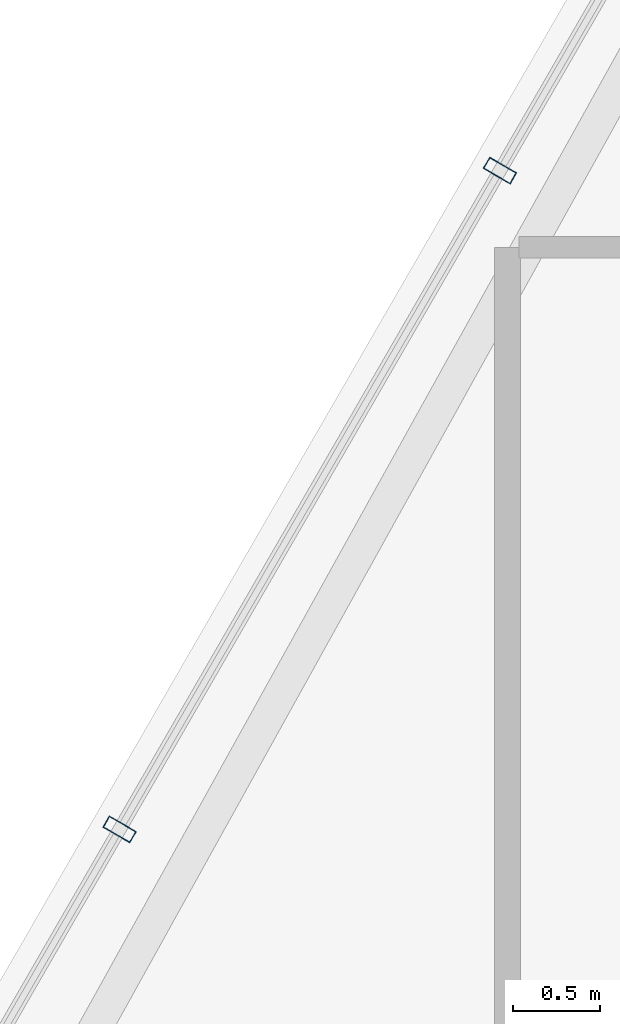
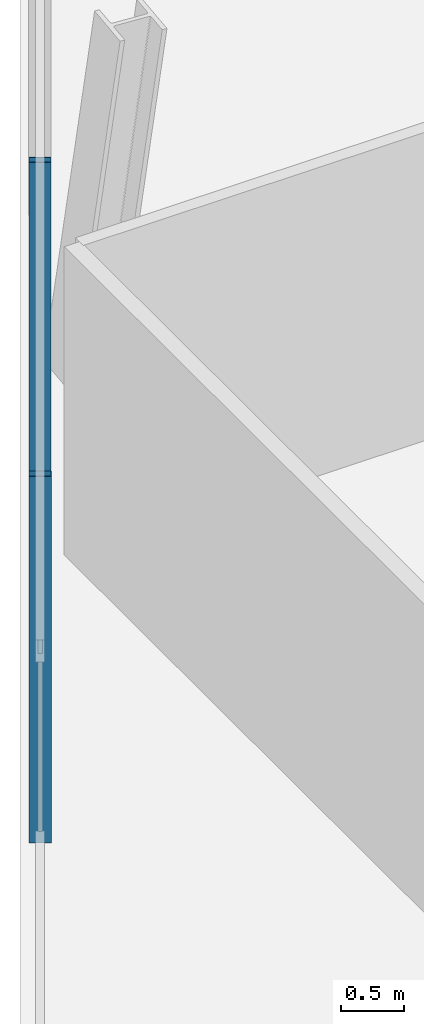
# One storey, part 10 of 29: 2 members, 1 element without a shape of its own.
"""IFC4 building model written with IfcOpenShell, lengths in metres."""

import ifcopenshell
import ifcopenshell.guid

model = None  # the IFC model being written
_history = None  # IfcOwnerHistory: only IFC2X3 demands one
_inside = {}  # id of a spatial element -> (the spatial element, [elements in it])
_under = {}  # id of a project, library or spatial element -> (it, [spatial elements below it])
_declared = {}  # id of a project -> (the project, [libraries it declares])
_typed = {}  # id of a type object -> (the type object, [elements of that type])
_made_of = {}  # id of a material, layer set ... -> (it, [elements and type objects made of it])


def new_model(schema):
    """Start an empty IFC model of exactly this schema.

    Asked for "IFC4X3", IfcOpenShell would pick the latest addendum, in which some entities
    have other attributes; the version numbers below select the first issue.
    IFC2X3 requires an IfcOwnerHistory on every rooted entity: one is made here for all.
    """
    global model, _history
    if schema == "IFC4X3":
        model = ifcopenshell.file(schema_version=(4, 3, 0, 0))
    else:
        model = ifcopenshell.file(schema=schema)
    _inside.clear()
    _under.clear()
    _declared.clear()
    _typed.clear()
    _made_of.clear()
    _history = None
    if model.schema == "IFC2X3":
        org = make("IfcOrganization", Name="unknown")
        user = make(
            "IfcPersonAndOrganization",
            ThePerson=make("IfcPerson", FamilyName="unknown"),
            TheOrganization=org,
        )
        app = make(
            "IfcApplication",
            ApplicationDeveloper=org,
            Version="unknown",
            ApplicationFullName="unknown",
            ApplicationIdentifier="unknown",
        )
        _history = make(
            "IfcOwnerHistory",
            OwningUser=user,
            OwningApplication=app,
            ChangeAction="ADDED",
            CreationDate=0,
        )
    return model


def make(cls, **values):
    """One entity of the class cls with the attributes given. An attribute that is None is left unset."""
    return model.create_entity(
        cls, **{name: value for name, value in values.items() if value is not None}
    )


def rooted(cls, **values):
    """An entity with a GlobalId (a new one), such as an element, a storey or a relation."""
    return make(cls, GlobalId=ifcopenshell.guid.new(), OwnerHistory=_history, **values)


def si_unit(unit_type, name, prefix=None):
    """IfcSIUnit, for example si_unit("LENGTHUNIT", "METRE", prefix="MILLI")."""
    return make("IfcSIUnit", UnitType=unit_type, Prefix=prefix, Name=name)


def assignment(units):
    """IfcUnitAssignment: the units of a project."""
    return None if units is None else make("IfcUnitAssignment", Units=units)


def point(xyz):
    """IfcCartesianPoint."""
    return None if xyz is None else make("IfcCartesianPoint", Coordinates=xyz)


def direction(xyz):
    """IfcDirection."""
    return None if xyz is None else make("IfcDirection", DirectionRatios=xyz)


def frame(location, z_axis=None, x_axis=None):
    """IfcAxis2Placement3D, a coordinate frame: its origin and axes. An axis left out is left unset."""
    return make(
        "IfcAxis2Placement3D",
        Location=point(location),
        Axis=direction(z_axis),
        RefDirection=direction(x_axis),
    )


def frame_2d(location, x_axis=None):
    """IfcAxis2Placement2D, a coordinate frame in the plane: its origin and x axis."""
    return make(
        "IfcAxis2Placement2D", Location=point(location), RefDirection=direction(x_axis)
    )


def origin():
    """The frame at (0, 0, 0) with its axes left unset."""
    return frame((0.0, 0.0, 0.0))


def origin_2d():
    """The frame at (0, 0) in the plane with its x axis left unset."""
    return frame_2d((0.0, 0.0))


def place(relative_to, where):
    """IfcLocalPlacement: puts the frame where relative to a parent placement (None: the world)."""
    return make(
        "IfcLocalPlacement", PlacementRelTo=relative_to, RelativePlacement=where
    )


def context(
    kind, dimensions, precision=None, world=None, true_north=None, identifier=None
):
    """IfcGeometricRepresentationContext, for example the 3D "Model" context."""
    return make(
        "IfcGeometricRepresentationContext",
        ContextIdentifier=identifier,
        ContextType=kind,
        CoordinateSpaceDimension=dimensions,
        Precision=precision,
        WorldCoordinateSystem=world,
        TrueNorth=true_north,
    )


def subcontext(parent, identifier, kind, view, scale=None):
    """IfcGeometricRepresentationSubContext, for example "Body" below "Model"."""
    return make(
        "IfcGeometricRepresentationSubContext",
        ContextIdentifier=identifier,
        ContextType=kind,
        ParentContext=parent,
        TargetScale=scale,
        TargetView=view,
    )


def project(units=None, contexts=None):
    """IfcProject with its units and contexts."""
    return rooted(
        "IfcProject",
        Name="project",
        RepresentationContexts=contexts,
        UnitsInContext=assignment(units),
    )


def spatial(cls, under=None, at=None, **own):
    """A site, building, storey or space (cls), placed at a placement, below another one or the project."""
    s = rooted(cls, ObjectPlacement=at, **own)
    if under is not None:
        _under.setdefault(under.id(), (under, []))[1].append(s)
    return s


def profile(cls, at=None, kind="AREA", **sizes):
    """A parametric profile (cls). Its sizes go by their IFC names, for example OverallWidth=200.0."""
    return make(cls, ProfileType=kind, Position=at, **sizes)


def hollow_rectangle(**sizes):
    """IfcRectangleHollowProfileDef."""
    return profile("IfcRectangleHollowProfileDef", **sizes)


def extrude(swept, where, along, depth):
    """IfcExtrudedAreaSolid: the profile swept, set in the frame where, extruded along a direction by depth."""
    return make(
        "IfcExtrudedAreaSolid",
        SweptArea=swept,
        Position=where,
        ExtrudedDirection=direction(along),
        Depth=depth,
    )


def shape(context_of_items, identifier, shape_type, items):
    """IfcShapeRepresentation: the items that make up one representation, for example the "Body"."""
    return make(
        "IfcShapeRepresentation",
        ContextOfItems=context_of_items,
        RepresentationIdentifier=identifier,
        RepresentationType=shape_type,
        Items=items,
    )


def material(Name=None, Category=None):
    """IfcMaterial."""
    return make("IfcMaterial", Name=Name, Category=Category)


def layer(
    of_material, thickness, ventilated=None, Name=None, Category=None, Priority=None
):
    """IfcMaterialLayer: one layer of a wall or slab, of a material (None: an air gap)."""
    return make(
        "IfcMaterialLayer",
        Material=of_material,
        LayerThickness=thickness,
        IsVentilated=ventilated,
        Name=Name,
        Category=Category,
        Priority=Priority,
    )


def layer_set(layers, Name=None):
    """IfcMaterialLayerSet."""
    return make("IfcMaterialLayerSet", MaterialLayers=layers, LayerSetName=Name)


def material_profile(
    of_material, cross_section, Name=None, Category=None, Priority=None
):
    """IfcMaterialProfile: a cross section and its material."""
    return make(
        "IfcMaterialProfile",
        Name=Name,
        Material=of_material,
        Profile=cross_section,
        Priority=Priority,
        Category=Category,
    )


def profile_set(profiles, Name=None, composite=None):
    """IfcMaterialProfileSet."""
    return make(
        "IfcMaterialProfileSet",
        Name=Name,
        MaterialProfiles=profiles,
        CompositeProfile=composite,
    )


def made_of(thing, what):
    """Note that an element or type object is made of a material, layer set ...; save() writes the relation."""
    if what is not None:
        _made_of.setdefault(what.id(), (what, []))[1].append(thing)
    return thing


def type_object(cls, material=None, **own):
    """A type object (cls), such as IfcWallType, which elements share."""
    return made_of(rooted(cls, **own), material)


def element(
    cls,
    number,
    at=None,
    inside=None,
    cuts=None,
    type_object=None,
    material=None,
    context=None,
    identifier="Body",
    shape_type=None,
    held_by="IfcProductDefinitionShape",
    body=None,
    shapes=None,
    **own,
):
    """One element of the class cls, such as IfcWall. Its Tag is "e" and its number.

    at: its placement. inside: the storey or other place that contains it. cuts: it is an
    opening in that element (IfcRelVoidsElement). A single representation is given by context,
    identifier, shape_type and body (its items); several are given by shapes. held_by: the class
    of the entity that holds the representations. save() writes the other relations.
    """
    e = rooted(cls, Tag="e%d" % number, ObjectPlacement=at, **own)
    if body is not None:
        shapes = [shape(context, identifier, shape_type, body)]
    if shapes is not None:
        e.Representation = make(held_by, Representations=shapes)
    if inside is not None:
        _inside.setdefault(inside.id(), (inside, []))[1].append(e)
    if cuts is not None:
        rooted(
            "IfcRelVoidsElement", RelatingBuildingElement=cuts, RelatedOpeningElement=e
        )
    if type_object is not None:
        _typed.setdefault(type_object.id(), (type_object, []))[1].append(e)
    return made_of(e, material)


def aggregate(whole, parts):
    """IfcRelAggregates: a whole, such as a stair, and the parts it consists of."""
    return rooted("IfcRelAggregates", RelatingObject=whole, RelatedObjects=parts)


def save(model, path):
    """Write the relations noted so far, then the file.

    IfcRelAggregates (storeys below a building ...), IfcRelContainedInSpatialStructure (elements
    in a storey), IfcRelDefinesByType, IfcRelAssociatesMaterial and IfcRelDeclares: one each for
    every whole, place, type object, material and project.
    """
    for whole, parts in _under.values():
        aggregate(whole, parts)
    for where, things in _inside.values():
        rooted(
            "IfcRelContainedInSpatialStructure",
            RelatedElements=things,
            RelatingStructure=where,
        )
    for kind, things in _typed.values():
        rooted("IfcRelDefinesByType", RelatedObjects=things, RelatingType=kind)
    for what, things in _made_of.values():
        rooted("IfcRelAssociatesMaterial", RelatedObjects=things, RelatingMaterial=what)
    for by, libraries in _declared.values():
        rooted("IfcRelDeclares", RelatingContext=by, RelatedDefinitions=libraries)
    model.write(path)


model = new_model("IFC4")

# Units and contexts
model_context = context("Model", 3, precision=1e-05, world=origin(), true_north=direction((0.0, 1.0)))
body_context = subcontext(model_context, "Body", "Model", "MODEL_VIEW")
ifc_project = project(units=[si_unit("LENGTHUNIT", "METRE"), si_unit("AREAUNIT", "SQUARE_METRE"), si_unit("VOLUMEUNIT", "CUBIC_METRE"), si_unit("PLANEANGLEUNIT", "RADIAN"), si_unit("MASSUNIT", "GRAM", prefix="KILO")], contexts=[model_context])

# Site, building, storey
site_placement = place(None, origin())
site = spatial("IfcSite", under=ifc_project, at=site_placement, CompositionType="ELEMENT")
building_placement = place(site_placement, origin())
building = spatial("IfcBuilding", under=site, at=building_placement, Name="Ndaravel Arena Tower", CompositionType="ELEMENT")
storey_placement = place(building_placement, frame((0.0, 0.0, 248.39990234375)))
storey = spatial("IfcBuildingStorey", under=building, at=storey_placement, Name="L60", CompositionType="ELEMENT", Elevation=248.39990234375)

# Curtain wall, members
ifc_material_1 = material(Name="Aluminium", Category="aluminium")
ifc_layer = layer(ifc_material_1, 0.179931640625)
ifc_layer_set = layer_set([ifc_layer], Name="Aluminium")
curtain_wall_type = type_object("IfcCurtainWallType", Name="CW-SYS-03", PredefinedType="NOTDEFINED", material=ifc_layer_set)
curtain_wall_placement = place(storey_placement, origin())
curtain_wall = element("IfcCurtainWall", 1, at=curtain_wall_placement, inside=storey, type_object=curtain_wall_type, Name="L60 Faceted Crystal Curtain Wall CW-L60-E05", PredefinedType="NOTDEFINED")
ifc_material_2 = material(Name="Aluminium", Category="aluminium")
ifc_material_profile = material_profile(ifc_material_2, hollow_rectangle(XDim=0.074951171875, YDim=0.179931640625, WallThickness=0.00390625, at=origin_2d()), Name="CW MULLION 75x180x4")
ifc_profile_set = profile_set([ifc_material_profile], Name="Aluminium")
member_type = type_object("IfcMemberType", Name="MEM-CW-MUL180", PredefinedType="MULLION", material=ifc_profile_set)
member_1_placement = place(storey_placement, frame((27.75634765625, 26.041015625, 0.0), z_axis=(0.0, 0.0, 1.0), x_axis=(-0.5, -0.866025403784, 0.0)))
member_1 = element("IfcMember", 2, at=member_1_placement, type_object=member_type, Name="CW-L60-E05 Mullion 05", PredefinedType="MULLION", context=body_context, shape_type="SweptSolid", body=[
    extrude(hollow_rectangle(XDim=0.074951171875, YDim=0.179931640625, WallThickness=0.00390625, at=origin_2d()), origin(), (0.0, 0.0, 1.0), 3.580078125),
])
member_2_placement = place(storey_placement, frame((25.568359375, 22.251220703125, 0.0), z_axis=(0.0, 0.0, 1.0), x_axis=(-0.5, -0.866025403784, 0.0)))
member_2 = element("IfcMember", 3, at=member_2_placement, type_object=member_type, Name="CW-L60-E05 Mullion 06", PredefinedType="MULLION", context=body_context, shape_type="SweptSolid", body=[
    extrude(hollow_rectangle(XDim=0.074951171875, YDim=0.179931640625, WallThickness=0.00390625, at=origin_2d()), origin(), (0.0, 0.0, 1.0), 3.580078125),
])
aggregate(curtain_wall, [member_1, member_2])

save(model, "model.ifc")
